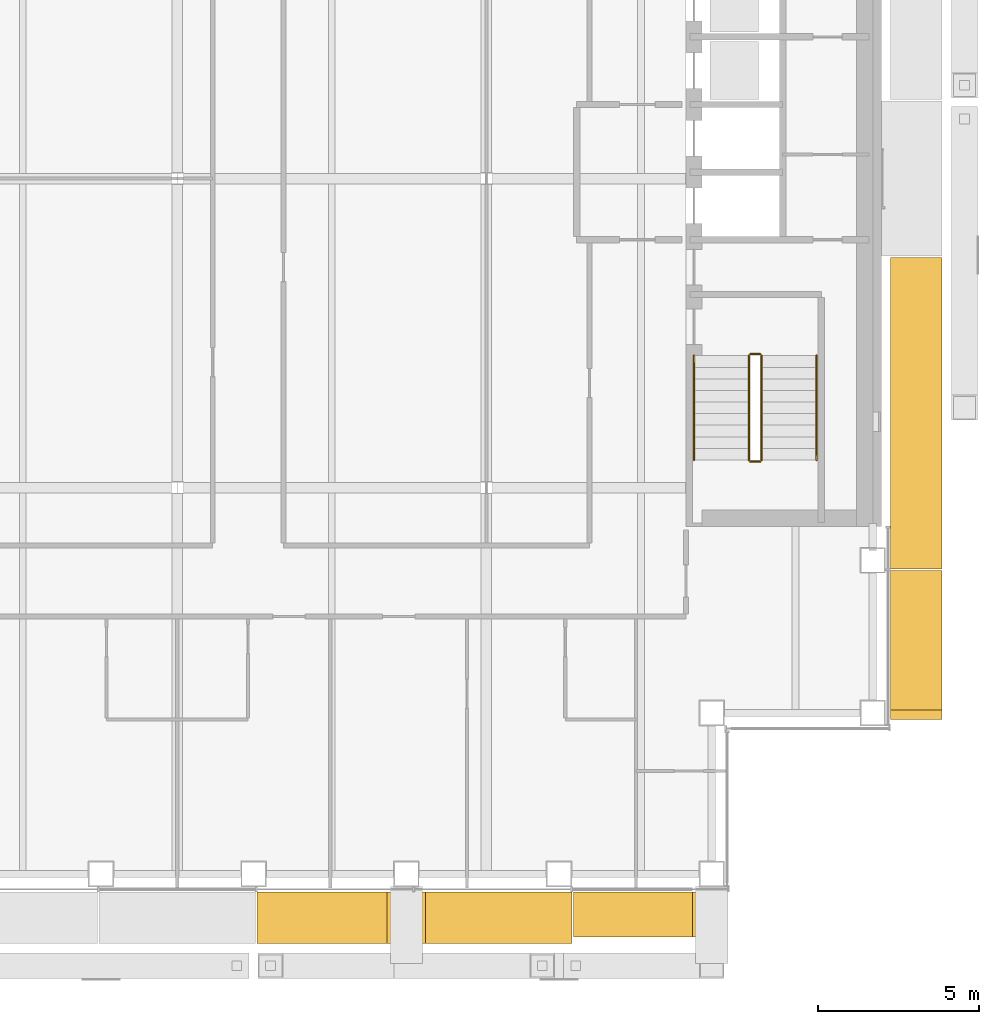
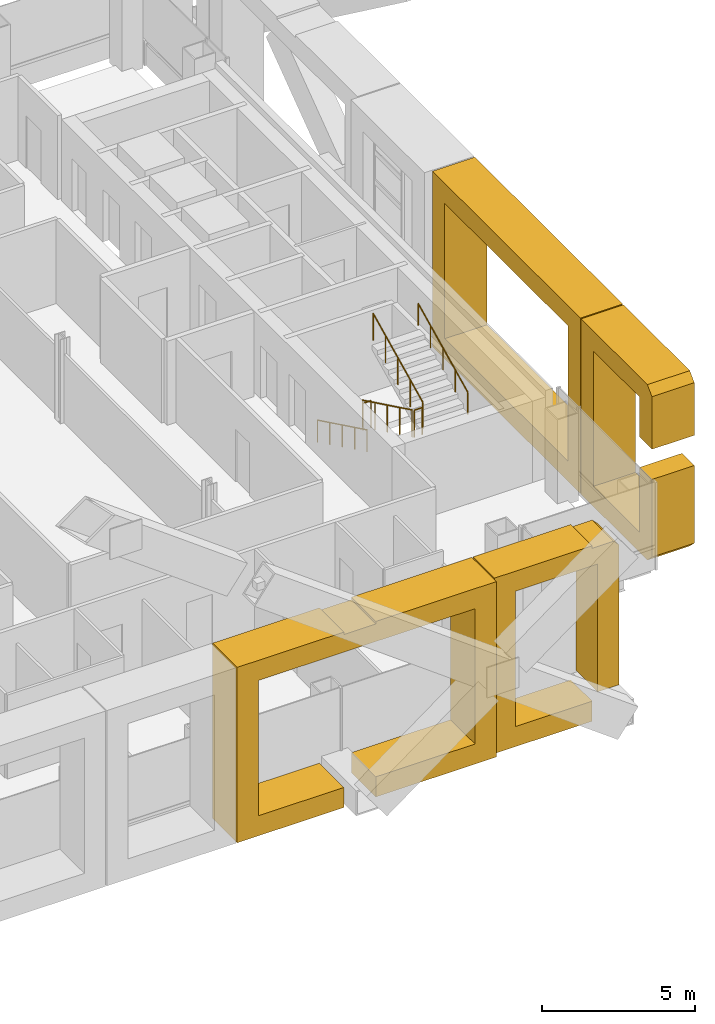
# One storey, part 19 of 22: 6 railings, 4 coverings.
"""IFC4 building model written with IfcOpenShell, lengths in metres."""

from ifc_helpers import new_model, si_unit, direction, frame, origin, origin_2d, place, context, subcontext, project, spatial, polyline, circle, outline, extrude, material, type_object, element, save


model = new_model("IFC4")

# Units and contexts
model_context = context("Model", 3, precision=1e-05, world=origin(), true_north=direction((0.0, 1.0)))
body_context = subcontext(model_context, "Body", "Model", "MODEL_VIEW")
ifc_project = project(units=[si_unit("LENGTHUNIT", "METRE"), si_unit("AREAUNIT", "SQUARE_METRE"), si_unit("VOLUMEUNIT", "CUBIC_METRE"), si_unit("PLANEANGLEUNIT", "RADIAN"), si_unit("MASSUNIT", "GRAM", prefix="KILO")], contexts=[model_context])

# Site, building, storey
site_placement = place(None, origin())
site = spatial("IfcSite", under=ifc_project, at=site_placement, CompositionType="ELEMENT")
building_placement = place(site_placement, origin())
building = spatial("IfcBuilding", under=site, at=building_placement, Name="Cobrizo Arcos Hotel Tower", CompositionType="ELEMENT")
storey_placement = place(building_placement, frame((0.0, 0.0, 169.0)))
storey = spatial("IfcBuildingStorey", under=building, at=storey_placement, Name="L43", CompositionType="ELEMENT", Elevation=169.0)

# Coverings
ifc_material_1 = material(Name="Aluminium 6063-T6 anodised bronze", Category="aluminium")
covering_type_1 = type_object("IfcCoveringType", Name="FIN-F 1400", PredefinedType="CLADDING", material=ifc_material_1)
covering_1_placement = place(storey_placement, frame((12.310791015625, -22.14990234375, 0.0), z_axis=(0.0, -1.0, 0.0), x_axis=(1.0, 0.0, 0.0)))
element("IfcCovering", 1, at=covering_1_placement, inside=storey, type_object=covering_type_1, Name="Fin frame 250", PredefinedType="CLADDING", context=body_context, shape_type="SweptSolid", body=[
    extrude(outline(polyline([(0.0, 0.0), (3.687255859375, 0.0), (3.687255859375, 0.800048828125), (0.800048828125, 0.800048828125), (0.800048828125, 6.199951171875), (3.889404296875, 6.199951171875), (3.889404296875, 1.10205078125), (4.689208984375, 1.10205078125), (4.689208984375, 6.699951171875), (4.4912109375, 6.89794921875), (3.687255859375, 6.89794921875), (3.687255859375, 7.0), (0.0, 7.0), (0.0, 0.0)])), origin(), (0.0, 0.0, 1.0), 1.400146484375),
])
covering_type_2 = type_object("IfcCoveringType", Name="FIN-F 1600", PredefinedType="CLADDING", material=ifc_material_1)
covering_2_placement = place(storey_placement, frame((22.14990234375, -16.800048828125, 0.0), z_axis=(1.0, 0.0, 0.0), x_axis=(0.0, 1.0, 0.0)))
element("IfcCovering", 2, at=covering_2_placement, inside=storey, type_object=covering_type_2, Name="Fin frame 216", PredefinedType="CLADDING", context=body_context, shape_type="SweptSolid", body=[
    extrude(outline(polyline([(0.0, 6.699951171875), (0.0, 4.60205078125), (0.800048828125, 4.60205078125), (0.800048828125, 6.199951171875), (3.83203125, 6.199951171875), (3.83203125, 0.800048828125), (0.800048828125, 0.800048828125), (0.800048828125, 3.39794921875), (0.0, 3.39794921875), (0.0, 0.300048828125), (0.300048828125, 0.0), (4.632080078125, 0.0), (4.632080078125, 7.0), (0.300048828125, 7.0), (0.0, 6.699951171875)])), origin(), (0.0, 0.0, 1.0), 1.60009765625),
])
covering_3_placement = place(storey_placement, frame((22.14990234375, -12.117919921875, 0.0), z_axis=(1.0, 0.0, 0.0), x_axis=(0.0, 1.0, 0.0)))
element("IfcCovering", 3, at=covering_3_placement, inside=storey, type_object=covering_type_2, Name="Fin frame 217", PredefinedType="CLADDING", context=body_context, shape_type="SweptSolid", body=[
    extrude(outline(polyline([(0.0, 7.0), (0.0, 0.0), (9.664306640625, 0.0), (9.664306640625, 7.0), (0.0, 7.0)]), holes=[polyline([(8.8642578125, 0.800048828125), (0.800048828125, 0.800048828125), (0.800048828125, 6.199951171875), (8.8642578125, 6.199951171875), (8.8642578125, 0.800048828125)])]), origin(), (0.0, 0.0, 1.0), 1.60009765625),
])
covering_4_placement = place(storey_placement, frame((2.482177734375, -22.14990234375, 0.0), z_axis=(0.0, -1.0, 0.0), x_axis=(1.0, 0.0, 0.0)))
element("IfcCovering", 4, at=covering_4_placement, inside=storey, type_object=covering_type_2, Name="Fin frame 249", PredefinedType="CLADDING", context=body_context, shape_type="SweptSolid", body=[
    extrude(outline(polyline([(0.0, 0.0), (4.0302734375, 0.0), (4.0302734375, 0.800048828125), (0.800048828125, 0.800048828125), (0.800048828125, 6.199951171875), (8.978515625, 6.199951171875), (8.978515625, 0.800048828125), (5.234130859375, 0.800048828125), (5.234130859375, 0.0), (9.778564453125, 0.0), (9.778564453125, 7.0), (5.234130859375, 7.0), (5.234130859375, 6.89794921875), (4.0302734375, 6.89794921875), (4.0302734375, 7.0), (0.0, 7.0), (0.0, 0.0)])), origin(), (0.0, 0.0, 1.0), 1.60009765625),
])

# Railings
ifc_material_2 = material(Name="Stainless steel railing", Category="steel")
railing_type_1 = type_object("IfcRailingType", Name="Stair guard 1100", PredefinedType="GUARDRAIL", material=ifc_material_2)
railing_1_placement = place(storey_placement, frame((17.75, -5.5, 0.175048828125)))
element("IfcRailing", 5, at=railing_1_placement, inside=storey, type_object=railing_type_1, Name="L43 ST-E stair guard 1", PredefinedType="GUARDRAIL", context=body_context, shape_type="SweptSolid", body=[
    extrude(circle(Radius=0.02392578125, at=origin_2d()), frame((0.0, 0.0, 1.076171875), z_axis=(0.0, -0.899372665325, 0.437182809435), x_axis=(1.0, 0.0, 0.0)), (0.0, 0.0, 1.0), 3.6025390625),
    extrude(circle(Radius=0.02099609375, at=origin_2d()), origin(), (0.0, 0.0, 1.0), 1.052001953125),
    extrude(circle(Radius=0.02099609375, at=origin_2d()), frame((0.0, -0.81005859375, 0.393798828125)), (0.0, 0.0, 1.0), 1.052001953125),
    extrude(circle(Radius=0.02099609375, at=origin_2d()), frame((0.0, -1.6201171875, 0.78759765625)), (0.0, 0.0, 1.0), 1.052001953125),
    extrude(circle(Radius=0.02099609375, at=origin_2d()), frame((0.0, -2.429931640625, 1.18115234375)), (0.0, 0.0, 1.0), 1.052001953125),
    extrude(circle(Radius=0.02099609375, at=origin_2d()), frame((0.0, -3.239990234375, 1.574951171875)), (0.0, 0.0, 1.0), 1.052001953125),
])
railing_2_placement = place(storey_placement, frame((17.800048828125, -8.7900390625, 1.75)))
element("IfcRailing", 6, at=railing_2_placement, inside=storey, type_object=railing_type_1, Name="L43 ST-E stair guard 2", PredefinedType="GUARDRAIL", context=body_context, shape_type="SweptSolid", body=[
    extrude(circle(Radius=0.02392578125, at=origin_2d()), frame((0.0, 0.0, 1.076171875), z_axis=(1.0, 0.0, 0.0), x_axis=(0.0, 1.0, 0.0)), (0.0, 0.0, 1.0), 0.300048828125),
    extrude(circle(Radius=0.02099609375, at=origin_2d()), origin(), (0.0, 0.0, 1.0), 1.052001953125),
    extrude(circle(Radius=0.02099609375, at=origin_2d()), frame((0.300048828125, 0.0, 0.0)), (0.0, 0.0, 1.0), 1.052001953125),
])
railing_3_placement = place(storey_placement, frame((18.14990234375, -8.739990234375, 1.925048828125)))
element("IfcRailing", 7, at=railing_3_placement, inside=storey, type_object=railing_type_1, Name="L43 ST-E stair guard 3", PredefinedType="GUARDRAIL", context=body_context, shape_type="SweptSolid", body=[
    extrude(circle(Radius=0.02392578125, at=origin_2d()), frame((0.0, 0.0, 1.076171875), z_axis=(0.0, 0.899372665325, 0.437182809435), x_axis=(-1.0, 0.0, 0.0)), (0.0, 0.0, 1.0), 3.6025390625),
    extrude(circle(Radius=0.02099609375, at=origin_2d()), origin(), (0.0, 0.0, 1.0), 1.052001953125),
    extrude(circle(Radius=0.02099609375, at=origin_2d()), frame((0.0, 0.81005859375, 0.393798828125)), (0.0, 0.0, 1.0), 1.052001953125),
    extrude(circle(Radius=0.02099609375, at=origin_2d()), frame((0.0, 1.6201171875, 0.78759765625)), (0.0, 0.0, 1.0), 1.052001953125),
    extrude(circle(Radius=0.02099609375, at=origin_2d()), frame((0.0, 2.429931640625, 1.18115234375)), (0.0, 0.0, 1.0), 1.052001953125),
    extrude(circle(Radius=0.02099609375, at=origin_2d()), frame((0.0, 3.239990234375, 1.574951171875)), (0.0, 0.0, 1.0), 1.052001953125),
])
railing_4_placement = place(storey_placement, frame((17.800048828125, -5.449951171875, 0.0)))
element("IfcRailing", 8, at=railing_4_placement, inside=storey, type_object=railing_type_1, Name="L43 ST-E stair guard 4", PredefinedType="GUARDRAIL", context=body_context, shape_type="SweptSolid", body=[
    extrude(circle(Radius=0.02392578125, at=origin_2d()), frame((0.0, 0.0, 1.076171875), z_axis=(1.0, 0.0, 0.0), x_axis=(0.0, 1.0, 0.0)), (0.0, 0.0, 1.0), 0.300048828125),
    extrude(circle(Radius=0.02099609375, at=origin_2d()), origin(), (0.0, 0.0, 1.0), 1.052001953125),
    extrude(circle(Radius=0.02099609375, at=origin_2d()), frame((0.300048828125, 0.0, 0.0)), (0.0, 0.0, 1.0), 1.052001953125),
])
railing_type_2 = type_object("IfcRailingType", Name="Stair handrail", PredefinedType="HANDRAIL", material=ifc_material_2)
railing_5_placement = place(storey_placement, frame((16.050048828125, -5.5, 0.175048828125)))
element("IfcRailing", 9, at=railing_5_placement, inside=storey, type_object=railing_type_2, Name="L43 ST-E stair handrail 1", PredefinedType="HANDRAIL", context=body_context, shape_type="SweptSolid", body=[
    extrude(circle(Radius=0.02392578125, at=origin_2d()), frame((0.0, 0.0, 0.8759765625), z_axis=(0.0, -0.899372665325, 0.437182809435), x_axis=(1.0, 0.0, 0.0)), (0.0, 0.0, 1.0), 3.6025390625),
    extrude(circle(Radius=0.02099609375, at=origin_2d()), origin(), (0.0, 0.0, 1.0), 0.851806640625),
    extrude(circle(Radius=0.02099609375, at=origin_2d()), frame((0.0, -0.81005859375, 0.393798828125)), (0.0, 0.0, 1.0), 0.851806640625),
    extrude(circle(Radius=0.02099609375, at=origin_2d()), frame((0.0, -1.6201171875, 0.78759765625)), (0.0, 0.0, 1.0), 0.851806640625),
    extrude(circle(Radius=0.02099609375, at=origin_2d()), frame((0.0, -2.429931640625, 1.18115234375)), (0.0, 0.0, 1.0), 0.851806640625),
    extrude(circle(Radius=0.02099609375, at=origin_2d()), frame((0.0, -3.239990234375, 1.574951171875)), (0.0, 0.0, 1.0), 0.851806640625),
])
railing_6_placement = place(storey_placement, frame((19.85009765625, -8.739990234375, 1.925048828125)))
element("IfcRailing", 10, at=railing_6_placement, inside=storey, type_object=railing_type_2, Name="L43 ST-E stair handrail 2", PredefinedType="HANDRAIL", context=body_context, shape_type="SweptSolid", body=[
    extrude(circle(Radius=0.02392578125, at=origin_2d()), frame((0.0, 0.0, 0.8759765625), z_axis=(0.0, 0.899372665325, 0.437182809435), x_axis=(-1.0, 0.0, 0.0)), (0.0, 0.0, 1.0), 3.6025390625),
    extrude(circle(Radius=0.02099609375, at=origin_2d()), origin(), (0.0, 0.0, 1.0), 0.851806640625),
    extrude(circle(Radius=0.02099609375, at=origin_2d()), frame((0.0, 0.81005859375, 0.393798828125)), (0.0, 0.0, 1.0), 0.851806640625),
    extrude(circle(Radius=0.02099609375, at=origin_2d()), frame((0.0, 1.6201171875, 0.78759765625)), (0.0, 0.0, 1.0), 0.851806640625),
    extrude(circle(Radius=0.02099609375, at=origin_2d()), frame((0.0, 2.429931640625, 1.18115234375)), (0.0, 0.0, 1.0), 0.851806640625),
    extrude(circle(Radius=0.02099609375, at=origin_2d()), frame((0.0, 3.239990234375, 1.574951171875)), (0.0, 0.0, 1.0), 0.851806640625),
])

save(model, "model.ifc")
